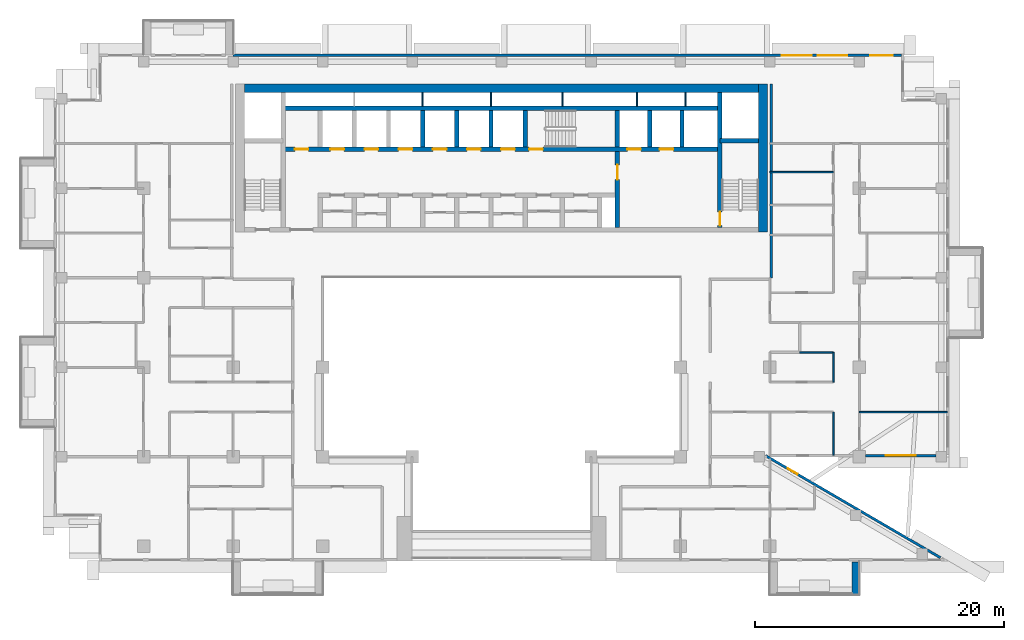
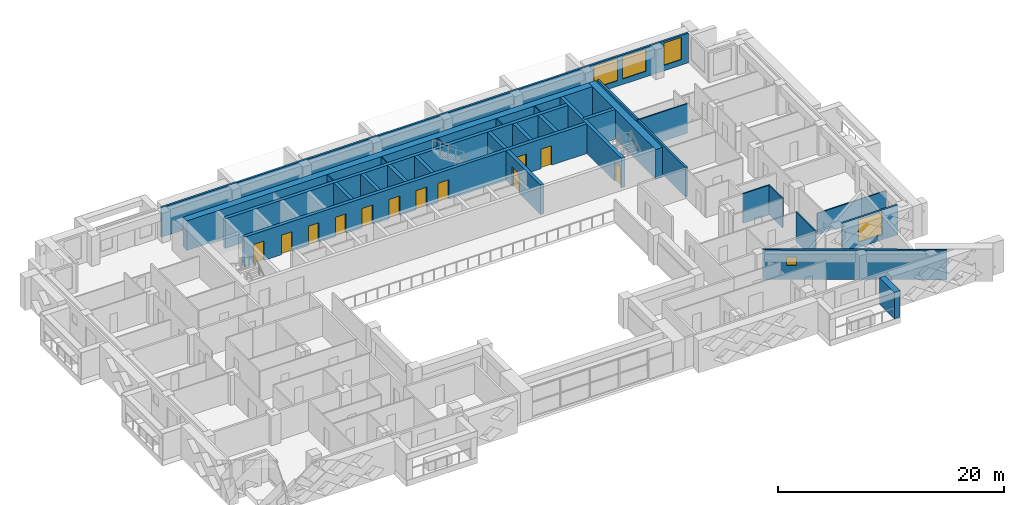
# One storey, part 11 of 20: 29 walls, 12 doors, 5 windows, 17 openings.
"""IFC4 building model written with IfcOpenShell, lengths in metres."""

from ifc_helpers import new_model, si_unit, direction, frame, frame_2d, origin, place, context, subcontext, project, spatial, rectangle, extrude, material, layer, layer_set, type_object, element, fill, save


model = new_model("IFC4")

# Units and contexts
model_context = context("Model", 3, precision=1e-05, world=origin(), true_north=direction((0.0, 1.0)))
body_context = subcontext(model_context, "Body", "Model", "MODEL_VIEW")
ifc_project = project(units=[si_unit("LENGTHUNIT", "METRE"), si_unit("AREAUNIT", "SQUARE_METRE"), si_unit("VOLUMEUNIT", "CUBIC_METRE"), si_unit("PLANEANGLEUNIT", "RADIAN"), si_unit("MASSUNIT", "GRAM", prefix="KILO")], contexts=[model_context])

# Site, building, storey
site_placement = place(None, origin())
site = spatial("IfcSite", under=ifc_project, at=site_placement, CompositionType="ELEMENT")
building_placement = place(site_placement, origin())
building = spatial("IfcBuilding", under=site, at=building_placement, Name="Saffron Iwan Residences", CompositionType="ELEMENT")
storey_placement = place(building_placement, frame((0.0, 0.0, 150.0)))
storey = spatial("IfcBuildingStorey", under=building, at=storey_placement, Name="L39", CompositionType="ELEMENT", Elevation=150.0)

# Wall
ifc_material_1 = material(Name="Concrete C50/60 white painted", Category="concrete")
ifc_layer_1 = layer(ifc_material_1, 0.60009765625)
ifc_layer_set_1 = layer_set([ifc_layer_1], Name="Concrete C50/60 white painted")
wall_type_1 = type_object("IfcWallType", Name="BALCONY FIN 600", PredefinedType="SOLIDWALL", material=ifc_layer_set_1)
wall_1_placement = place(storey_placement, frame((78.89990234375, 39.550048828125, 0.0), z_axis=(0.0, 0.0, 1.0), x_axis=(0.0, -1.0, 0.0)))
element("IfcWall", 1, at=wall_1_placement, inside=storey, type_object=wall_type_1, Name="Balcony fin L39 11-1b", PredefinedType="SOLIDWALL", context=body_context, shape_type="SweptSolid", body=[
    extrude(rectangle(XDim=2.650146484375, YDim=0.60009765625, at=frame_2d((1.3251953125, 0.0))), origin(), (0.0, 0.0, 1.0), 2.85009765625),
])

# Wall, opening, window
ifc_material_2 = material(Name="Concrete C40/50", Category="concrete")
ifc_layer_2 = layer(ifc_material_2, 0.199951171875)
ifc_layer_set_2 = layer_set([ifc_layer_2], Name="Concrete C40/50")
wall_type_2 = type_object("IfcWallType", Name="EXTERNAL WALL 200", PredefinedType="SOLIDWALL", material=ifc_layer_set_2)
wall_2_placement = place(storey_placement, frame((85.71923828125, 39.88134765625, 0.0), z_axis=(0.0, 0.0, 1.0), x_axis=(-0.86377618652, 0.503875678716, 0.0)))
wall_2 = element("IfcWall", 2, at=wall_2_placement, inside=storey, type_object=wall_type_2, Name="External wall L39 F0.0", PredefinedType="SOLIDWALL", context=body_context, shape_type="SweptSolid", body=[
    extrude(rectangle(XDim=16.31103515625, YDim=0.199951171875, at=frame_2d((8.155517578125, 0.0))), origin(), (0.0, 0.0, 1.0), 3.199951171875),
])
opening_1_placement = place(wall_2_placement, frame((13.32568359375, 0.0, 1.5)))
opening_1 = element("IfcOpeningElement", 3, at=opening_1_placement, cuts=wall_2, Name="Opening W6", PredefinedType="OPENING", context=body_context, shape_type="SweptSolid", body=[
    extrude(rectangle(XDim=0.89990234375, YDim=0.89990234375, at=frame_2d((0.449951171875, 0.449951171875))), frame((0.0, 0.10986328125, 0.0), z_axis=(0.0, -1.0, 0.0), x_axis=(1.0, 0.0, 0.0)), (0.0, 0.0, 1.0), 0.219970703125),
])
ifc_material_3 = material(Name="Clear glass, laminated double glazed", Category="glass")
window_type_1 = type_object("IfcWindowType", Name="WINDOW 900 x 900 BATH", PartitioningType="SINGLE_PANEL", PredefinedType="WINDOW", material=ifc_material_3)
window_1_placement = place(opening_1_placement, origin())
window_1 = element("IfcWindow", 4, at=window_1_placement, inside=storey, type_object=window_type_1, Name="Window L39 F0.0", OverallHeight=0.89990234375, OverallWidth=0.89990234375, PartitioningType="SINGLE_PANEL", PredefinedType="WINDOW", context=body_context, shape_type="SweptSolid", body=[
    extrude(rectangle(XDim=0.89990234375, YDim=0.89990234375, at=frame_2d((0.449951171875, 0.449951171875))), frame((0.0, 0.030029296875, 0.0), z_axis=(0.0, -1.0, 0.0), x_axis=(1.0, 0.0, 0.0)), (0.0, 0.0, 1.0), 0.06005859375),
])
fill(opening_1, window_1)

wall_3_placement = place(storey_placement, frame((79.699951171875, 48.10009765625, 0.0), z_axis=(0.0, 0.0, 1.0), x_axis=(1.0, 0.0, 0.0)))
wall_3 = element("IfcWall", 5, at=wall_3_placement, inside=storey, type_object=wall_type_2, Name="External wall L39 F1.1", PredefinedType="SOLIDWALL", context=body_context, shape_type="SweptSolid", body=[
    extrude(rectangle(XDim=5.675048828125, YDim=0.199951171875, at=frame_2d((2.83740234375, 0.0))), origin(), (0.0, 0.0, 1.0), 3.199951171875),
])
opening_2_placement = place(wall_3_placement, frame((1.637451171875, 0.0, 0.60009765625)))
opening_2 = element("IfcOpeningElement", 6, at=opening_2_placement, cuts=wall_3, Name="Opening W1", PredefinedType="OPENING", context=body_context, shape_type="SweptSolid", body=[
    extrude(rectangle(XDim=2.39990234375, YDim=2.39990234375, at=frame_2d((1.199951171875, 1.199951171875))), frame((0.0, 0.10986328125, 0.0), z_axis=(0.0, -1.0, 0.0), x_axis=(1.0, 0.0, 0.0)), (0.0, 0.0, 1.0), 0.219970703125),
])
window_type_2 = type_object("IfcWindowType", Name="WINDOW 2400 x 2400", PartitioningType="DOUBLE_PANEL_VERTICAL", PredefinedType="WINDOW", material=ifc_material_3)
window_2_placement = place(opening_2_placement, origin())
window_2 = element("IfcWindow", 7, at=window_2_placement, inside=storey, type_object=window_type_2, Name="Window L39 F1.0", OverallHeight=2.39990234375, OverallWidth=2.39990234375, PartitioningType="DOUBLE_PANEL_VERTICAL", PredefinedType="WINDOW", context=body_context, shape_type="SweptSolid", body=[
    extrude(rectangle(XDim=2.39990234375, YDim=2.39990234375, at=frame_2d((1.199951171875, 1.199951171875))), frame((0.0, 0.030029296875, 0.0), z_axis=(0.0, -1.0, 0.0), x_axis=(1.0, 0.0, 0.0)), (0.0, 0.0, 1.0), 0.06005859375),
])
fill(opening_2, window_2)

# Wall, openings, windows
wall_4_placement = place(storey_placement, frame((82.60009765625, 80.300048828125, 0.0), z_axis=(0.0, 0.0, 1.0), x_axis=(-1.0, 0.0, 0.0)))
wall_4 = element("IfcWall", 8, at=wall_4_placement, inside=storey, type_object=wall_type_2, Name="External wall L39 F5.0", PredefinedType="SOLIDWALL", context=body_context, shape_type="SweptSolid", body=[
    extrude(rectangle(XDim=53.800048828125, YDim=0.199951171875, at=frame_2d((26.89990234375, 0.0))), origin(), (0.0, 0.0, 1.0), 3.199951171875),
])
opening_3_placement = place(wall_4_placement, frame((0.71240234375, 0.0, 0.60009765625)))
opening_3 = element("IfcOpeningElement", 9, at=opening_3_placement, cuts=wall_4, Name="Opening W8", PredefinedType="OPENING", context=body_context, shape_type="SweptSolid", body=[
    extrude(rectangle(XDim=1.800048828125, YDim=2.39990234375, at=frame_2d((0.89990234375, 1.199951171875))), frame((0.0, 0.10986328125, 0.0), z_axis=(0.0, -1.0, 0.0), x_axis=(1.0, 0.0, 0.0)), (0.0, 0.0, 1.0), 0.219970703125),
])
opening_4_placement = place(wall_4_placement, frame((4.3583984375, 0.0, 0.60009765625)))
opening_4 = element("IfcOpeningElement", 10, at=opening_4_placement, cuts=wall_4, Name="Opening W1", PredefinedType="OPENING", context=body_context, shape_type="SweptSolid", body=[
    extrude(rectangle(XDim=2.39990234375, YDim=2.39990234375, at=frame_2d((1.199951171875, 1.199951171875))), frame((0.0, 0.10986328125, 0.0), z_axis=(0.0, -1.0, 0.0), x_axis=(1.0, 0.0, 0.0)), (0.0, 0.0, 1.0), 0.219970703125),
])
opening_5_placement = place(wall_4_placement, frame((7.24169921875, 0.0, 0.60009765625)))
opening_5 = element("IfcOpeningElement", 11, at=opening_5_placement, cuts=wall_4, Name="Opening W1", PredefinedType="OPENING", context=body_context, shape_type="SweptSolid", body=[
    extrude(rectangle(XDim=2.39990234375, YDim=2.39990234375, at=frame_2d((1.199951171875, 1.199951171875))), frame((0.0, 0.10986328125, 0.0), z_axis=(0.0, -1.0, 0.0), x_axis=(1.0, 0.0, 0.0)), (0.0, 0.0, 1.0), 0.219970703125),
])
window_type_3 = type_object("IfcWindowType", Name="WINDOW 1800 x 2400", PartitioningType="DOUBLE_PANEL_VERTICAL", PredefinedType="WINDOW", material=ifc_material_3)
window_3_placement = place(opening_3_placement, origin())
window_3 = element("IfcWindow", 12, at=window_3_placement, inside=storey, type_object=window_type_3, Name="Window L39 F5.0", OverallHeight=2.39990234375, OverallWidth=1.800048828125, PartitioningType="DOUBLE_PANEL_VERTICAL", PredefinedType="WINDOW", context=body_context, shape_type="SweptSolid", body=[
    extrude(rectangle(XDim=1.800048828125, YDim=2.39990234375, at=frame_2d((0.89990234375, 1.199951171875))), frame((0.0, 0.030029296875, 0.0), z_axis=(0.0, -1.0, 0.0), x_axis=(1.0, 0.0, 0.0)), (0.0, 0.0, 1.0), 0.06005859375),
])
fill(opening_3, window_3)
window_4_placement = place(opening_4_placement, origin())
window_4 = element("IfcWindow", 13, at=window_4_placement, inside=storey, type_object=window_type_2, Name="Window L39 F5.1", OverallHeight=2.39990234375, OverallWidth=2.39990234375, PartitioningType="DOUBLE_PANEL_VERTICAL", PredefinedType="WINDOW", context=body_context, shape_type="SweptSolid", body=[
    extrude(rectangle(XDim=2.39990234375, YDim=2.39990234375, at=frame_2d((1.199951171875, 1.199951171875))), frame((0.0, 0.030029296875, 0.0), z_axis=(0.0, -1.0, 0.0), x_axis=(1.0, 0.0, 0.0)), (0.0, 0.0, 1.0), 0.06005859375),
])
fill(opening_4, window_4)
window_5_placement = place(opening_5_placement, origin())
window_5 = element("IfcWindow", 14, at=window_5_placement, inside=storey, type_object=window_type_2, Name="Window L39 F5.2", OverallHeight=2.39990234375, OverallWidth=2.39990234375, PartitioningType="DOUBLE_PANEL_VERTICAL", PredefinedType="WINDOW", context=body_context, shape_type="SweptSolid", body=[
    extrude(rectangle(XDim=2.39990234375, YDim=2.39990234375, at=frame_2d((1.199951171875, 1.199951171875))), frame((0.0, 0.030029296875, 0.0), z_axis=(0.0, -1.0, 0.0), x_axis=(1.0, 0.0, 0.0)), (0.0, 0.0, 1.0), 0.06005859375),
])
fill(opening_5, window_5)

# Walls
ifc_material_4 = material(Name="Gypsum board partition")
ifc_layer_3 = layer(ifc_material_4, 0.1201171875)
ifc_layer_set_3 = layer_set([ifc_layer_3], Name="Gypsum board partition")
wall_type_3 = type_object("IfcWallType", Name="Flat partition 120", PredefinedType="PARTITIONING", material=ifc_layer_set_3)
wall_5_placement = place(storey_placement, frame((79.199951171875, 51.60009765625, 0.0), z_axis=(0.0, 0.0, 1.0), x_axis=(1.0, 0.0, 0.0)))
element("IfcWall", 15, at=wall_5_placement, inside=storey, type_object=wall_type_3, Name="W-L39-PART-h51.6-79.2", PredefinedType="PARTITIONING", context=body_context, shape_type="SweptSolid", body=[
    extrude(rectangle(XDim=7.074951171875, YDim=0.1201171875, at=frame_2d((3.53759765625, 0.0))), origin(), (0.0, 0.0, 1.0), 2.300048828125),
])
wall_6_placement = place(storey_placement, frame((74.39990234375, 56.39990234375, 0.0), z_axis=(0.0, 0.0, 1.0), x_axis=(1.0, 0.0, 0.0)))
element("IfcWall", 16, at=wall_6_placement, inside=storey, type_object=wall_type_3, Name="W-L39-PART-h56.4-74.4", PredefinedType="PARTITIONING", context=body_context, shape_type="SweptSolid", body=[
    extrude(rectangle(XDim=2.7001953125, YDim=0.1201171875, at=frame_2d((1.35009765625, 0.0))), origin(), (0.0, 0.0, 1.0), 3.199951171875),
])
wall_7_placement = place(storey_placement, frame((72.0, 70.89990234375, 0.0), z_axis=(0.0, 0.0, 1.0), x_axis=(1.0, 0.0, 0.0)))
element("IfcWall", 17, at=wall_7_placement, inside=storey, type_object=wall_type_3, Name="W-L39-PART-h70.9-72", PredefinedType="PARTITIONING", context=body_context, shape_type="SweptSolid", body=[
    extrude(rectangle(XDim=5.10009765625, YDim=0.1201171875, at=frame_2d((2.550048828125, 0.0))), origin(), (0.0, 0.0, 1.0), 3.199951171875),
])
wall_8_placement = place(storey_placement, frame((77.10009765625, 48.125, 0.0), z_axis=(0.0, 0.0, 1.0), x_axis=(0.0, 1.0, 0.0)))
element("IfcWall", 18, at=wall_8_placement, inside=storey, type_object=wall_type_3, Name="W-L39-PART-v77.1-48.125", PredefinedType="PARTITIONING", context=body_context, shape_type="SweptSolid", body=[
    extrude(rectangle(XDim=3.47509765625, YDim=0.1201171875, at=frame_2d((1.737548828125, 0.0))), origin(), (0.0, 0.0, 1.0), 3.199951171875),
])
wall_9_placement = place(storey_placement, frame((77.10009765625, 54.0, 0.0), z_axis=(0.0, 0.0, 1.0), x_axis=(0.0, 1.0, 0.0)))
element("IfcWall", 19, at=wall_9_placement, inside=storey, type_object=wall_type_3, Name="W-L39-PART-v77.1-54", PredefinedType="PARTITIONING", context=body_context, shape_type="SweptSolid", body=[
    extrude(rectangle(XDim=2.39990234375, YDim=0.1201171875, at=frame_2d((1.199951171875, 0.0))), origin(), (0.0, 0.0, 1.0), 3.199951171875),
])
ifc_material_5 = material(Name="Fire-rated gypsum board wall")
ifc_layer_4 = layer(ifc_material_5, 0.199951171875)
ifc_layer_set_4 = layer_set([ifc_layer_4], Name="Fire-rated gypsum board wall")
wall_type_4 = type_object("IfcWallType", Name="Gallery wall 200", PredefinedType="SOLIDWALL", material=ifc_layer_set_4)
wall_10_placement = place(storey_placement, frame((72.10009765625, 62.39990234375, 0.0), z_axis=(0.0, 0.0, 1.0), x_axis=(0.0, 1.0, 0.0)))
element("IfcWall", 20, at=wall_10_placement, inside=storey, type_object=wall_type_4, Name="W-L39-CORR-v72-62.4", PredefinedType="SOLIDWALL", context=body_context, shape_type="SweptSolid", body=[
    extrude(rectangle(XDim=15.60009765625, YDim=0.199951171875, at=frame_2d((7.800048828125, 0.0))), origin(), (0.0, 0.0, 1.0), 3.199951171875),
])
ifc_material_6 = material(Name="Fire-rated plasterboard partition")
ifc_layer_5 = layer(ifc_material_6, 0.10009765625)
ifc_layer_set_5 = layer_set([ifc_layer_5], Name="Fire-rated plasterboard partition")
wall_type_5 = type_object("IfcWallType", Name="Riser partition 100", PredefinedType="PARTITIONING", material=ifc_layer_set_5)
for number, where, z_axis, x_axis, name in (
    (21, (44.050048828125, 76.22509765625, 0.0), (0.0, 0.0, 1.0), (0.0, 1.0, 0.0), "Core partition P09"),
    (22, (49.550048828125, 76.22509765625, 0.0), (0.0, 0.0, 1.0), (0.0, 1.0, 0.0), "Core partition P10"),
    (23, (55.300048828125, 76.22509765625, 0.0), (0.0, 0.0, 1.0), (0.0, 1.0, 0.0), "Core partition P11"),
    (24, (61.300048828125, 76.22509765625, 0.0), (0.0, 0.0, 1.0), (0.0, 1.0, 0.0), "Core partition P12"),
    (25, (65.199951171875, 76.22509765625, 0.0), (0.0, 0.0, 1.0), (0.0, 1.0, 0.0), "Core partition P13"),
):
    element("IfcWall", number, at=place(storey_placement, frame(where, z_axis=z_axis, x_axis=x_axis)), inside=storey, type_object=wall_type_5, Name=name, PredefinedType="PARTITIONING", context=body_context, shape_type="SweptSolid", body=[
        extrude(rectangle(XDim=1.074951171875, YDim=0.10009765625, at=frame_2d((0.53759765625, 0.0))), origin(), (0.0, 0.0, 1.0), 3.199951171875),
    ])

# Wall, openings, doors
ifc_material_7 = material(Name="Concrete C50/60", Category="concrete")
ifc_layer_6 = layer(ifc_material_7, 0.35009765625)
ifc_layer_set_6 = layer_set([ifc_layer_6], Name="Concrete C50/60")
wall_type_6 = type_object("IfcWallType", Name="WALL CORE 350 C50/60 3200 HIGH", PredefinedType="SHEAR", material=ifc_layer_set_6)
wall_11_placement = place(storey_placement, frame((32.824951171875, 72.75, 0.0), z_axis=(0.0, 0.0, 1.0), x_axis=(1.0, 0.0, 0.0)))
wall_11 = element("IfcWall", 26, at=wall_11_placement, inside=storey, type_object=wall_type_6, Name="Core wall", PredefinedType="SHEAR", context=body_context, shape_type="SweptSolid", body=[
    extrude(rectangle(XDim=35.150146484375, YDim=0.35009765625, at=frame_2d((17.5751953125, 0.0))), origin(), (0.0, 0.0, 1.0), 3.199951171875),
])
opening_6_placement = place(wall_11_placement, frame((19.800048828125, 0.0, 0.0)))
opening_6 = element("IfcOpeningElement", 27, at=opening_6_placement, cuts=wall_11, Name="Opening SD", PredefinedType="OPENING", context=body_context, shape_type="SweptSolid", body=[
    extrude(rectangle(XDim=1.10009765625, YDim=2.10009765625, at=frame_2d((0.550048828125, 1.050048828125))), frame((0.0, 0.18505859375, 0.0), z_axis=(0.0, -1.0, 0.0), x_axis=(1.0, 0.0, 0.0)), (0.0, 0.0, 1.0), 0.3701171875),
])
opening_7_placement = place(wall_11_placement, frame((27.699951171875, 0.0, 0.0)))
opening_7 = element("IfcOpeningElement", 28, at=opening_7_placement, cuts=wall_11, Name="Opening LD", PredefinedType="OPENING", context=body_context, shape_type="SweptSolid", body=[
    extrude(rectangle(XDim=1.10009765625, YDim=2.10009765625, at=frame_2d((0.550048828125, 1.050048828125))), frame((0.0, 0.18505859375, 0.0), z_axis=(0.0, -1.0, 0.0), x_axis=(1.0, 0.0, 0.0)), (0.0, 0.0, 1.0), 0.3701171875),
])
opening_8_placement = place(wall_11_placement, frame((30.300048828125, 0.0, 0.0)))
opening_8 = element("IfcOpeningElement", 29, at=opening_8_placement, cuts=wall_11, Name="Opening LD", PredefinedType="OPENING", context=body_context, shape_type="SweptSolid", body=[
    extrude(rectangle(XDim=1.10009765625, YDim=2.10009765625, at=frame_2d((0.550048828125, 1.050048828125))), frame((0.0, 0.18505859375, 0.0), z_axis=(0.0, -1.0, 0.0), x_axis=(1.0, 0.0, 0.0)), (0.0, 0.0, 1.0), 0.3701171875),
])
opening_9_placement = place(wall_11_placement, frame((3.800048828125, 0.0, 0.0)))
opening_9 = element("IfcOpeningElement", 30, at=opening_9_placement, cuts=wall_11, Name="Opening LD", PredefinedType="OPENING", context=body_context, shape_type="SweptSolid", body=[
    extrude(rectangle(XDim=1.10009765625, YDim=2.10009765625, at=frame_2d((0.550048828125, 1.050048828125))), frame((0.0, 0.18505859375, 0.0), z_axis=(0.0, -1.0, 0.0), x_axis=(1.0, 0.0, 0.0)), (0.0, 0.0, 1.0), 0.3701171875),
])
opening_10_placement = place(wall_11_placement, frame((6.550048828125, 0.0, 0.0)))
opening_10 = element("IfcOpeningElement", 31, at=opening_10_placement, cuts=wall_11, Name="Opening LD", PredefinedType="OPENING", context=body_context, shape_type="SweptSolid", body=[
    extrude(rectangle(XDim=1.10009765625, YDim=2.10009765625, at=frame_2d((0.550048828125, 1.050048828125))), frame((0.0, 0.18505859375, 0.0), z_axis=(0.0, -1.0, 0.0), x_axis=(1.0, 0.0, 0.0)), (0.0, 0.0, 1.0), 0.3701171875),
])
opening_11_placement = place(wall_11_placement, frame((9.300048828125, 0.0, 0.0)))
opening_11 = element("IfcOpeningElement", 32, at=opening_11_placement, cuts=wall_11, Name="Opening LD", PredefinedType="OPENING", context=body_context, shape_type="SweptSolid", body=[
    extrude(rectangle(XDim=1.10009765625, YDim=2.10009765625, at=frame_2d((0.550048828125, 1.050048828125))), frame((0.0, 0.18505859375, 0.0), z_axis=(0.0, -1.0, 0.0), x_axis=(1.0, 0.0, 0.0)), (0.0, 0.0, 1.0), 0.3701171875),
])
opening_12_placement = place(wall_11_placement, frame((12.050048828125, 0.0, 0.0)))
opening_12 = element("IfcOpeningElement", 33, at=opening_12_placement, cuts=wall_11, Name="Opening LD", PredefinedType="OPENING", context=body_context, shape_type="SweptSolid", body=[
    extrude(rectangle(XDim=1.10009765625, YDim=2.10009765625, at=frame_2d((0.550048828125, 1.050048828125))), frame((0.0, 0.18505859375, 0.0), z_axis=(0.0, -1.0, 0.0), x_axis=(1.0, 0.0, 0.0)), (0.0, 0.0, 1.0), 0.3701171875),
])
opening_13_placement = place(wall_11_placement, frame((14.800048828125, 0.0, 0.0)))
opening_13 = element("IfcOpeningElement", 34, at=opening_13_placement, cuts=wall_11, Name="Opening LD", PredefinedType="OPENING", context=body_context, shape_type="SweptSolid", body=[
    extrude(rectangle(XDim=1.10009765625, YDim=2.10009765625, at=frame_2d((0.550048828125, 1.050048828125))), frame((0.0, 0.18505859375, 0.0), z_axis=(0.0, -1.0, 0.0), x_axis=(1.0, 0.0, 0.0)), (0.0, 0.0, 1.0), 0.3701171875),
])
opening_14_placement = place(wall_11_placement, frame((17.550048828125, 0.0, 0.0)))
opening_14 = element("IfcOpeningElement", 35, at=opening_14_placement, cuts=wall_11, Name="Opening LD", PredefinedType="OPENING", context=body_context, shape_type="SweptSolid", body=[
    extrude(rectangle(XDim=1.10009765625, YDim=2.10009765625, at=frame_2d((0.550048828125, 1.050048828125))), frame((0.0, 0.18505859375, 0.0), z_axis=(0.0, -1.0, 0.0), x_axis=(1.0, 0.0, 0.0)), (0.0, 0.0, 1.0), 0.3701171875),
])
opening_15_placement = place(wall_11_placement, frame((0.9375, 0.0, 0.0)))
opening_15 = element("IfcOpeningElement", 36, at=opening_15_placement, cuts=wall_11, Name="Opening SR", PredefinedType="OPENING", context=body_context, shape_type="SweptSolid", body=[
    extrude(rectangle(XDim=1.10009765625, YDim=2.10009765625, at=frame_2d((0.550048828125, 1.050048828125))), frame((0.0, 0.18505859375, 0.0), z_axis=(0.0, -1.0, 0.0), x_axis=(1.0, 0.0, 0.0)), (0.0, 0.0, 1.0), 0.3701171875),
])
ifc_material_8 = material(Name="Steel fire door", Category="steel")
door_type_1 = type_object("IfcDoorType", Name="Lift landing door 1100", OperationType="SLIDING_TO_LEFT", PredefinedType="DOOR", material=ifc_material_8)
door_1_placement = place(opening_7_placement, origin())
door_1 = element("IfcDoor", 37, at=door_1_placement, inside=storey, type_object=door_type_1, Name="Landing doors FF1", OperationType="SLIDING_TO_LEFT", OverallHeight=2.10009765625, OverallWidth=1.10009765625, PredefinedType="DOOR", context=body_context, shape_type="SweptSolid", body=[
    extrude(rectangle(XDim=1.10009765625, YDim=2.10009765625, at=frame_2d((0.550048828125, 1.050048828125))), frame((0.0, 0.02490234375, 0.0), z_axis=(0.0, -1.0, 0.0), x_axis=(1.0, 0.0, 0.0)), (0.0, 0.0, 1.0), 0.050048828125),
])
fill(opening_7, door_1)
door_2_placement = place(opening_8_placement, origin())
door_2 = element("IfcDoor", 38, at=door_2_placement, inside=storey, type_object=door_type_1, Name="Landing doors FF2", OperationType="SLIDING_TO_LEFT", OverallHeight=2.10009765625, OverallWidth=1.10009765625, PredefinedType="DOOR", context=body_context, shape_type="SweptSolid", body=[
    extrude(rectangle(XDim=1.10009765625, YDim=2.10009765625, at=frame_2d((0.550048828125, 1.050048828125))), frame((0.0, 0.02490234375, 0.0), z_axis=(0.0, -1.0, 0.0), x_axis=(1.0, 0.0, 0.0)), (0.0, 0.0, 1.0), 0.050048828125),
])
fill(opening_8, door_2)
door_3_placement = place(opening_9_placement, origin())
door_3 = element("IfcDoor", 39, at=door_3_placement, inside=storey, type_object=door_type_1, Name="Landing doors HR1", OperationType="SLIDING_TO_LEFT", OverallHeight=2.10009765625, OverallWidth=1.10009765625, PredefinedType="DOOR", context=body_context, shape_type="SweptSolid", body=[
    extrude(rectangle(XDim=1.10009765625, YDim=2.10009765625, at=frame_2d((0.550048828125, 1.050048828125))), frame((0.0, 0.02490234375, 0.0), z_axis=(0.0, -1.0, 0.0), x_axis=(1.0, 0.0, 0.0)), (0.0, 0.0, 1.0), 0.050048828125),
])
fill(opening_9, door_3)
door_4_placement = place(opening_10_placement, origin())
door_4 = element("IfcDoor", 40, at=door_4_placement, inside=storey, type_object=door_type_1, Name="Landing doors HR2", OperationType="SLIDING_TO_LEFT", OverallHeight=2.10009765625, OverallWidth=1.10009765625, PredefinedType="DOOR", context=body_context, shape_type="SweptSolid", body=[
    extrude(rectangle(XDim=1.10009765625, YDim=2.10009765625, at=frame_2d((0.550048828125, 1.050048828125))), frame((0.0, 0.02490234375, 0.0), z_axis=(0.0, -1.0, 0.0), x_axis=(1.0, 0.0, 0.0)), (0.0, 0.0, 1.0), 0.050048828125),
])
fill(opening_10, door_4)
door_5_placement = place(opening_11_placement, origin())
door_5 = element("IfcDoor", 41, at=door_5_placement, inside=storey, type_object=door_type_1, Name="Landing doors HR3", OperationType="SLIDING_TO_LEFT", OverallHeight=2.10009765625, OverallWidth=1.10009765625, PredefinedType="DOOR", context=body_context, shape_type="SweptSolid", body=[
    extrude(rectangle(XDim=1.10009765625, YDim=2.10009765625, at=frame_2d((0.550048828125, 1.050048828125))), frame((0.0, 0.02490234375, 0.0), z_axis=(0.0, -1.0, 0.0), x_axis=(1.0, 0.0, 0.0)), (0.0, 0.0, 1.0), 0.050048828125),
])
fill(opening_11, door_5)
door_6_placement = place(opening_12_placement, origin())
door_6 = element("IfcDoor", 42, at=door_6_placement, inside=storey, type_object=door_type_1, Name="Landing doors HR4", OperationType="SLIDING_TO_LEFT", OverallHeight=2.10009765625, OverallWidth=1.10009765625, PredefinedType="DOOR", context=body_context, shape_type="SweptSolid", body=[
    extrude(rectangle(XDim=1.10009765625, YDim=2.10009765625, at=frame_2d((0.550048828125, 1.050048828125))), frame((0.0, 0.02490234375, 0.0), z_axis=(0.0, -1.0, 0.0), x_axis=(1.0, 0.0, 0.0)), (0.0, 0.0, 1.0), 0.050048828125),
])
fill(opening_12, door_6)
door_7_placement = place(opening_13_placement, origin())
door_7 = element("IfcDoor", 43, at=door_7_placement, inside=storey, type_object=door_type_1, Name="Landing doors HR5", OperationType="SLIDING_TO_LEFT", OverallHeight=2.10009765625, OverallWidth=1.10009765625, PredefinedType="DOOR", context=body_context, shape_type="SweptSolid", body=[
    extrude(rectangle(XDim=1.10009765625, YDim=2.10009765625, at=frame_2d((0.550048828125, 1.050048828125))), frame((0.0, 0.02490234375, 0.0), z_axis=(0.0, -1.0, 0.0), x_axis=(1.0, 0.0, 0.0)), (0.0, 0.0, 1.0), 0.050048828125),
])
fill(opening_13, door_7)
door_8_placement = place(opening_14_placement, origin())
door_8 = element("IfcDoor", 44, at=door_8_placement, inside=storey, type_object=door_type_1, Name="Landing doors HR6", OperationType="SLIDING_TO_LEFT", OverallHeight=2.10009765625, OverallWidth=1.10009765625, PredefinedType="DOOR", context=body_context, shape_type="SweptSolid", body=[
    extrude(rectangle(XDim=1.10009765625, YDim=2.10009765625, at=frame_2d((0.550048828125, 1.050048828125))), frame((0.0, 0.02490234375, 0.0), z_axis=(0.0, -1.0, 0.0), x_axis=(1.0, 0.0, 0.0)), (0.0, 0.0, 1.0), 0.050048828125),
])
fill(opening_14, door_8)
door_type_2 = type_object("IfcDoorType", Name="Service door 1100", OperationType="NOTDEFINED", PredefinedType="DOOR", material=ifc_material_8)
door_9_placement = place(opening_15_placement, origin())
door_9 = element("IfcDoor", 45, at=door_9_placement, inside=storey, type_object=door_type_2, Name="Door Caretaker's room", OperationType="SINGLE_SWING_LEFT", OverallHeight=2.10009765625, OverallWidth=1.10009765625, PredefinedType="DOOR", context=body_context, shape_type="SweptSolid", body=[
    extrude(rectangle(XDim=1.10009765625, YDim=2.10009765625, at=frame_2d((0.550048828125, 1.050048828125))), frame((0.0, 0.02490234375, 0.0), z_axis=(0.0, -1.0, 0.0), x_axis=(1.0, 0.0, 0.0)), (0.0, 0.0, 1.0), 0.050048828125),
])
fill(opening_15, door_9)
door_type_3 = type_object("IfcDoorType", Name="Stair door 1100", OperationType="NOTDEFINED", PredefinedType="DOOR", material=ifc_material_8)
door_10_placement = place(opening_6_placement, origin())
door_10 = element("IfcDoor", 46, at=door_10_placement, inside=storey, type_object=door_type_3, Name="Stair door ST-C", OperationType="SINGLE_SWING_LEFT", OverallHeight=2.10009765625, OverallWidth=1.10009765625, PredefinedType="DOOR", context=body_context, shape_type="SweptSolid", body=[
    extrude(rectangle(XDim=1.10009765625, YDim=2.10009765625, at=frame_2d((0.550048828125, 1.050048828125))), frame((0.0, 0.02490234375, 0.0), z_axis=(0.0, -1.0, 0.0), x_axis=(1.0, 0.0, 0.0)), (0.0, 0.0, 1.0), 0.050048828125),
])
fill(opening_6, door_10)

# Walls
wall_12_placement = place(storey_placement, frame((32.824951171875, 76.050048828125, 0.0), z_axis=(0.0, 0.0, 1.0), x_axis=(1.0, 0.0, 0.0)))
element("IfcWall", 47, at=wall_12_placement, inside=storey, type_object=wall_type_6, Name="Core wall", PredefinedType="SHEAR", context=body_context, shape_type="SweptSolid", body=[
    extrude(rectangle(XDim=35.150146484375, YDim=0.35009765625, at=frame_2d((17.5751953125, 0.0))), origin(), (0.0, 0.0, 1.0), 3.199951171875),
])
wall_13_placement = place(storey_placement, frame((67.97509765625, 73.425048828125, 0.0), z_axis=(0.0, 0.0, 1.0), x_axis=(1.0, 0.0, 0.0)))
element("IfcWall", 48, at=wall_13_placement, inside=storey, type_object=wall_type_6, Name="Core wall", PredefinedType="SHEAR", context=body_context, shape_type="SweptSolid", body=[
    extrude(rectangle(XDim=3.125, YDim=0.35009765625, at=frame_2d((1.5625, 0.0))), origin(), (0.0, 0.0, 1.0), 3.199951171875),
])

# Wall, opening, door
wall_14_placement = place(storey_placement, frame((67.97509765625, 66.449951171875, 0.0), z_axis=(0.0, 0.0, 1.0), x_axis=(0.0, 1.0, 0.0)))
wall_14 = element("IfcWall", 49, at=wall_14_placement, inside=storey, type_object=wall_type_6, Name="Core wall", PredefinedType="SHEAR", context=body_context, shape_type="SweptSolid", body=[
    extrude(rectangle(XDim=10.85009765625, YDim=0.35009765625, at=frame_2d((5.425048828125, 0.0))), origin(), (0.0, 0.0, 1.0), 3.199951171875),
])
opening_16_placement = place(wall_14_placement, frame((0.14990234375, 0.0, 0.0)))
opening_16 = element("IfcOpeningElement", 50, at=opening_16_placement, cuts=wall_14, Name="Opening SD", PredefinedType="OPENING", context=body_context, shape_type="SweptSolid", body=[
    extrude(rectangle(XDim=1.10009765625, YDim=2.10009765625, at=frame_2d((0.550048828125, 1.050048828125))), frame((0.0, 0.18505859375, 0.0), z_axis=(0.0, -1.0, 0.0), x_axis=(1.0, 0.0, 0.0)), (0.0, 0.0, 1.0), 0.3701171875),
])
door_11_placement = place(opening_16_placement, origin())
door_11 = element("IfcDoor", 51, at=door_11_placement, inside=storey, type_object=door_type_3, Name="Stair door ST-E", OperationType="SINGLE_SWING_LEFT", OverallHeight=2.10009765625, OverallWidth=1.10009765625, PredefinedType="DOOR", context=body_context, shape_type="SweptSolid", body=[
    extrude(rectangle(XDim=1.10009765625, YDim=2.10009765625, at=frame_2d((0.550048828125, 1.050048828125))), frame((0.0, 0.02490234375, 0.0), z_axis=(0.0, -1.0, 0.0), x_axis=(1.0, 0.0, 0.0)), (0.0, 0.0, 1.0), 0.050048828125),
])
fill(opening_16, door_11)

wall_15_placement = place(storey_placement, frame((59.72509765625, 66.449951171875, 0.0), z_axis=(0.0, 0.0, 1.0), x_axis=(0.0, 1.0, 0.0)))
wall_15 = element("IfcWall", 52, at=wall_15_placement, inside=storey, type_object=wall_type_6, Name="Core wall", PredefinedType="SHEAR", context=body_context, shape_type="SweptSolid", body=[
    extrude(rectangle(XDim=6.125, YDim=0.35009765625, at=frame_2d((3.0625, 0.0))), origin(), (0.0, 0.0, 1.0), 3.199951171875),
])
opening_17_placement = place(wall_15_placement, frame((3.85009765625, 0.0, 0.0)))
opening_17 = element("IfcOpeningElement", 53, at=opening_17_placement, cuts=wall_15, Name="Opening FD", PredefinedType="OPENING", context=body_context, shape_type="SweptSolid", body=[
    extrude(rectangle(XDim=1.199951171875, YDim=2.10009765625, at=frame_2d((0.60009765625, 1.050048828125))), frame((0.0, 0.18505859375, 0.0), z_axis=(0.0, -1.0, 0.0), x_axis=(1.0, 0.0, 0.0)), (0.0, 0.0, 1.0), 0.3701171875),
])
door_type_4 = type_object("IfcDoorType", Name="Firefighting lobby door 1200", OperationType="NOTDEFINED", PredefinedType="DOOR", material=ifc_material_8)
door_12_placement = place(opening_17_placement, origin())
door_12 = element("IfcDoor", 54, at=door_12_placement, inside=storey, type_object=door_type_4, Name="Firefighting lobby door", OperationType="SINGLE_SWING_LEFT", OverallHeight=2.10009765625, OverallWidth=1.199951171875, PredefinedType="DOOR", context=body_context, shape_type="SweptSolid", body=[
    extrude(rectangle(XDim=1.199951171875, YDim=2.10009765625, at=frame_2d((0.60009765625, 1.050048828125))), frame((0.0, 0.02490234375, 0.0), z_axis=(0.0, -1.0, 0.0), x_axis=(1.0, 0.0, 0.0)), (0.0, 0.0, 1.0), 0.050048828125),
])
fill(opening_17, door_12)

# Walls
for number, where, z_axis, x_axis, name in (
    (55, (59.72509765625, 72.925048828125, 0.0), (0.0, 0.0, 1.0), (0.0, 1.0, 0.0), "Core wall"),
    (56, (44.050048828125, 72.925048828125, 0.0), (0.0, 0.0, 1.0), (0.0, 1.0, 0.0), "Core wall"),
    (57, (46.800048828125, 72.925048828125, 0.0), (0.0, 0.0, 1.0), (0.0, 1.0, 0.0), "Core wall"),
    (58, (49.550048828125, 72.925048828125, 0.0), (0.0, 0.0, 1.0), (0.0, 1.0, 0.0), "Core wall"),
    (59, (52.300048828125, 72.925048828125, 0.0), (0.0, 0.0, 1.0), (0.0, 1.0, 0.0), "Core wall"),
    (60, (62.324951171875, 72.925048828125, 0.0), (0.0, 0.0, 1.0), (0.0, 1.0, 0.0), "Core wall"),
    (61, (64.925048828125, 72.925048828125, 0.0), (0.0, 0.0, 1.0), (0.0, 1.0, 0.0), "Core wall"),
):
    element("IfcWall", number, at=place(storey_placement, frame(where, z_axis=z_axis, x_axis=x_axis)), inside=storey, type_object=wall_type_6, Name=name, PredefinedType="SHEAR", context=body_context, shape_type="SweptSolid", body=[
        extrude(rectangle(XDim=2.949951171875, YDim=0.35009765625, at=frame_2d((1.47509765625, 0.0))), origin(), (0.0, 0.0, 1.0), 3.199951171875),
    ])
ifc_layer_7 = layer(ifc_material_7, 0.699951171875)
ifc_layer_set_7 = layer_set([ifc_layer_7], Name="Concrete C50/60")
wall_type_7 = type_object("IfcWallType", Name="WALL CORE 700 C50/60 3200 HIGH", PredefinedType="SHEAR", material=ifc_layer_set_7)
wall_16_placement = place(storey_placement, frame((71.449951171875, 66.10009765625, 0.0), z_axis=(0.0, 0.0, 1.0), x_axis=(0.0, 1.0, 0.0)))
element("IfcWall", 62, at=wall_16_placement, inside=storey, type_object=wall_type_7, Name="Core wall", PredefinedType="SHEAR", context=body_context, shape_type="SweptSolid", body=[
    extrude(rectangle(XDim=11.89990234375, YDim=0.699951171875, at=frame_2d((5.949951171875, 0.0))), origin(), (0.0, 0.0, 1.0), 3.199951171875),
])
wall_17_placement = place(storey_placement, frame((29.699951171875, 77.64990234375, 0.0), z_axis=(0.0, 0.0, 1.0), x_axis=(1.0, 0.0, 0.0)))
element("IfcWall", 63, at=wall_17_placement, inside=storey, type_object=wall_type_7, Name="Core wall", PredefinedType="SHEAR", context=body_context, shape_type="SweptSolid", body=[
    extrude(rectangle(XDim=41.400146484375, YDim=0.699951171875, at=frame_2d((20.7001953125, 0.0))), origin(), (0.0, 0.0, 1.0), 3.199951171875),
])

save(model, "model.ifc")
